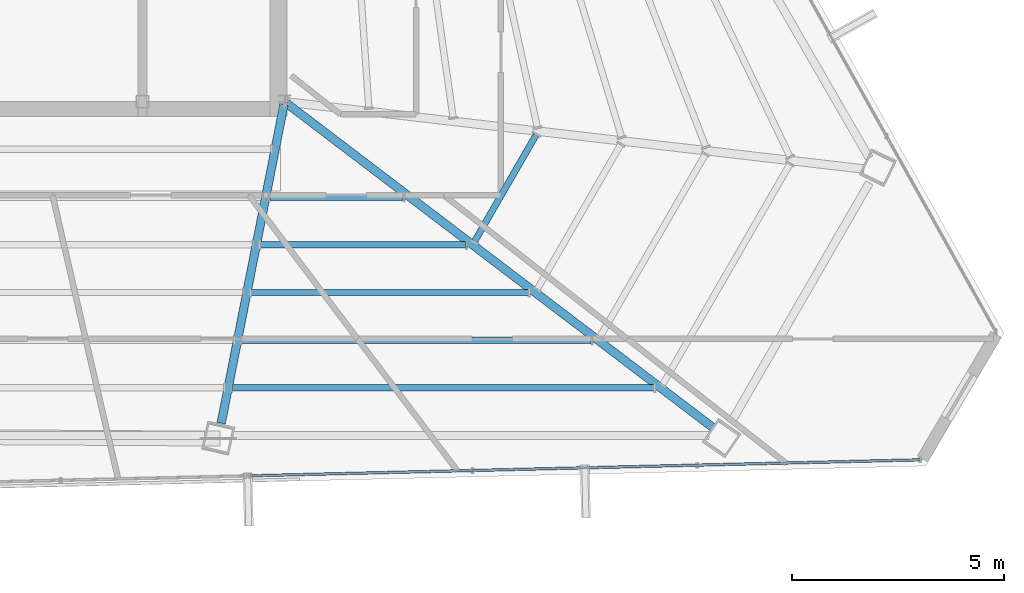
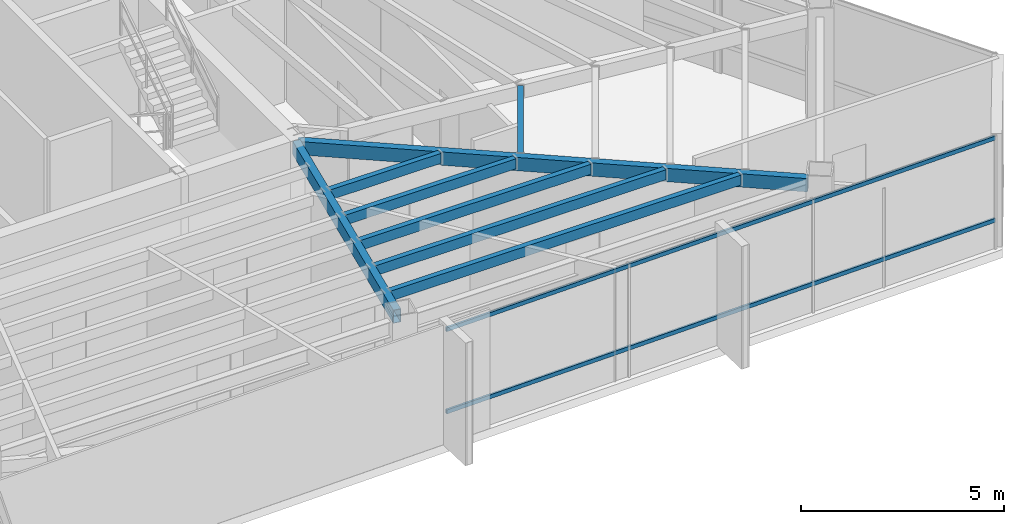
# One storey, part 20 of 45: 8 beams, 2 members, 1 element without a shape of its own.
"""IFC4 building model written with IfcOpenShell, lengths in metres."""

from ifc_helpers import new_model, si_unit, direction, frame, origin, origin_2d, place, context, subcontext, project, spatial, hollow_rectangle, extrude, source, transform, mapped, material, material_profile, profile_set, type_object, type_shapes, element, aggregate, save


model = new_model("IFC4")

# Units and contexts
model_context = context("Model", 3, precision=1e-05, world=origin(), true_north=direction((0.0, 1.0)))
body_context = subcontext(model_context, "Body", "Model", "MODEL_VIEW")
ifc_project = project(units=[si_unit("LENGTHUNIT", "METRE"), si_unit("AREAUNIT", "SQUARE_METRE"), si_unit("VOLUMEUNIT", "CUBIC_METRE"), si_unit("PLANEANGLEUNIT", "RADIAN"), si_unit("MASSUNIT", "GRAM", prefix="KILO")], contexts=[model_context])

# Site, building, storey
site_placement = place(None, origin())
site = spatial("IfcSite", under=ifc_project, at=site_placement, CompositionType="ELEMENT")
building_placement = place(site_placement, origin())
building = spatial("IfcBuilding", under=site, at=building_placement, Name="Caelisora Broadcast Tower", CompositionType="ELEMENT")
storey_placement = place(building_placement, frame((0.0, 0.0, 262.699951171875)))
storey = spatial("IfcBuildingStorey", under=building, at=storey_placement, Name="L69", CompositionType="ELEMENT", Elevation=262.699951171875)

# Beams
ifc_material_1 = material(Name="Steel Grade 350 (AS/NZS 1163 C350L0)", Category="steel")
ifc_material_profile_1 = material_profile(ifc_material_1, hollow_rectangle(XDim=0.199951171875, YDim=0.39990234375, WallThickness=0.012451171875, at=origin_2d()), Name="Steel Grade 350 (AS/NZS 1163 C350L0)")
ifc_profile_set_1 = profile_set([ifc_material_profile_1], Name="Steel Grade 350 (AS/NZS 1163 C350L0)")
beam_type_1 = type_object("IfcBeamType", Name="PG07", PredefinedType="BEAM", material=ifc_profile_set_1)
shared_shape_1 = source(origin(), body_context, "Body", "SweptSolid", [
    extrude(hollow_rectangle(XDim=0.199951171875, YDim=0.39990234375, WallThickness=0.012451171875, at=origin_2d()), origin(), (0.0, 0.0, 1.0), 12.64306640625),
])
beam_1_placement = place(storey_placement, frame((45.5478515625, 17.36376953125, 3.199951171875), z_axis=(0.795910210689, -0.605414681455, 0.0), x_axis=(0.605414681455, 0.795910210689, 0.0)))
element("IfcBeam", 1, at=beam_1_placement, inside=storey, type_object=beam_type_1, Name="L69 beam PG07", PredefinedType="BEAM", context=body_context, shape_type="MappedRepresentation", body=[
    mapped(shared_shape_1, transform((0.0, 0.0, 0.0), scale=1.0)),
])
shared_shape_2 = source(origin(), body_context, "Body", "SweptSolid", [
    extrude(hollow_rectangle(XDim=0.199951171875, YDim=0.39990234375, WallThickness=0.012451171875, at=origin_2d()), origin(), (0.0, 0.0, 1.0), 7.664306640625),
])
type_shapes(beam_type_1, [shared_shape_1, shared_shape_2])
beam_2_placement = place(storey_placement, frame((45.48828125, 17.341064453125, 3.199951171875), z_axis=(-0.19329132394, -0.981141408814, 0.0), x_axis=(0.981141408814, -0.19329132394, 0.0)))
element("IfcBeam", 2, at=beam_2_placement, inside=storey, type_object=beam_type_1, Name="L69 beam PG07", PredefinedType="BEAM", context=body_context, shape_type="MappedRepresentation", body=[
    mapped(shared_shape_2, transform((0.0, 0.0, 0.0), scale=1.0)),
])
ifc_material_profile_2 = material_profile(ifc_material_1, hollow_rectangle(XDim=0.14990234375, YDim=0.300048828125, WallThickness=0.010009765625, at=origin_2d()), Name="Steel Grade 350 (AS/NZS 1163 C350L0)")
ifc_profile_set_2 = profile_set([ifc_material_profile_2], Name="Steel Grade 350 (AS/NZS 1163 C350L0)")
beam_type_2 = type_object("IfcBeamType", Name="SB05", PredefinedType="JOIST", material=ifc_profile_set_2)
shared_shape_3 = source(origin(), body_context, "Body", "SweptSolid", [
    extrude(hollow_rectangle(XDim=0.14990234375, YDim=0.300048828125, WallThickness=0.010009765625, at=origin_2d()), origin(), (0.0, 0.0, 1.0), 2.88916015625),
])
beam_3_placement = place(storey_placement, frame((49.983642578125, 14.111328125, 3.25), z_axis=(0.49998333816, 0.866035023289, 0.0), x_axis=(-0.866035023289, 0.49998333816, 0.0)))
element("IfcBeam", 3, at=beam_3_placement, inside=storey, type_object=beam_type_2, Name="L69 beam SB05", PredefinedType="JOIST", context=body_context, shape_type="MappedRepresentation", body=[
    mapped(shared_shape_3, transform((0.0, 0.0, 0.0), scale=1.0)),
])
shared_shape_4 = source(origin(), body_context, "Body", "SweptSolid", [
    extrude(hollow_rectangle(XDim=0.14990234375, YDim=0.300048828125, WallThickness=0.010009765625, at=origin_2d()), origin(), (0.0, 0.0, 1.0), 3.138427734375),
])
beam_4_placement = place(storey_placement, frame((45.15576171875, 15.151123046875, 3.25), z_axis=(1.0, 0.0, 0.0), x_axis=(0.0, 1.0, 0.0)))
element("IfcBeam", 4, at=beam_4_placement, inside=storey, type_object=beam_type_2, Name="L69 beam SB05", PredefinedType="JOIST", context=body_context, shape_type="MappedRepresentation", body=[
    mapped(shared_shape_4, transform((0.0, 0.0, 0.0), scale=1.0)),
])
shared_shape_5 = source(origin(), body_context, "Body", "SweptSolid", [
    extrude(hollow_rectangle(XDim=0.14990234375, YDim=0.300048828125, WallThickness=0.010009765625, at=origin_2d()), origin(), (0.0, 0.0, 1.0), 4.83837890625),
])
beam_5_placement = place(storey_placement, frame((44.934326171875, 14.026611328125, 3.25), z_axis=(1.0, 0.0, 0.0), x_axis=(0.0, 1.0, 0.0)))
element("IfcBeam", 5, at=beam_5_placement, inside=storey, type_object=beam_type_2, Name="L69 beam SB05", PredefinedType="JOIST", context=body_context, shape_type="MappedRepresentation", body=[
    mapped(shared_shape_5, transform((0.0, 0.0, 0.0), scale=1.0)),
])
shared_shape_6 = source(origin(), body_context, "Body", "SweptSolid", [
    extrude(hollow_rectangle(XDim=0.14990234375, YDim=0.300048828125, WallThickness=0.010009765625, at=origin_2d()), origin(), (0.0, 0.0, 1.0), 6.5380859375),
])
beam_6_placement = place(storey_placement, frame((44.712890625, 12.90234375, 3.25), z_axis=(1.0, 0.0, 0.0), x_axis=(0.0, 1.0, 0.0)))
element("IfcBeam", 6, at=beam_6_placement, inside=storey, type_object=beam_type_2, Name="L69 beam SB05", PredefinedType="JOIST", context=body_context, shape_type="MappedRepresentation", body=[
    mapped(shared_shape_6, transform((0.0, 0.0, 0.0), scale=1.0)),
])
shared_shape_7 = source(origin(), body_context, "Body", "SweptSolid", [
    extrude(hollow_rectangle(XDim=0.14990234375, YDim=0.300048828125, WallThickness=0.010009765625, at=origin_2d()), origin(), (0.0, 0.0, 1.0), 8.238037109375),
])
beam_7_placement = place(storey_placement, frame((44.4912109375, 11.77783203125, 3.25), z_axis=(1.0, 0.0, 0.0), x_axis=(0.0, 1.0, 0.0)))
element("IfcBeam", 7, at=beam_7_placement, inside=storey, type_object=beam_type_2, Name="L69 beam SB05", PredefinedType="JOIST", context=body_context, shape_type="MappedRepresentation", body=[
    mapped(shared_shape_7, transform((0.0, 0.0, 0.0), scale=1.0)),
])
shared_shape_8 = source(origin(), body_context, "Body", "SweptSolid", [
    extrude(hollow_rectangle(XDim=0.14990234375, YDim=0.300048828125, WallThickness=0.010009765625, at=origin_2d()), origin(), (0.0, 0.0, 1.0), 9.937744140625),
])
type_shapes(beam_type_2, [shared_shape_3, shared_shape_4, shared_shape_5, shared_shape_6, shared_shape_7, shared_shape_8])
beam_8_placement = place(storey_placement, frame((44.269775390625, 10.6533203125, 3.25), z_axis=(1.0, 0.0, 0.0), x_axis=(0.0, 1.0, 0.0)))
element("IfcBeam", 8, at=beam_8_placement, inside=storey, type_object=beam_type_2, Name="L69 beam SB05", PredefinedType="JOIST", context=body_context, shape_type="MappedRepresentation", body=[
    mapped(shared_shape_8, transform((0.0, 0.0, 0.0), scale=1.0)),
])

# Curtain wall, members
ifc_material_2 = material(Name="Unitised Aluminium and Low-E Glass Curtain Wall", Category="glass")
curtain_wall_type = type_object("IfcCurtainWallType", Name="CW-Z5", PredefinedType="NOTDEFINED", material=ifc_material_2)
curtain_wall_placement = place(storey_placement, origin())
curtain_wall = element("IfcCurtainWall", 9, at=curtain_wall_placement, inside=storey, type_object=curtain_wall_type, Name="L69 curtain wall CW-Z5", PredefinedType="NOTDEFINED")
ifc_material_3 = material(Name="Aluminium 6063-T6 Anodised Terracotta Bronze", Category="aluminium")
ifc_material_profile_3 = material_profile(ifc_material_3, hollow_rectangle(XDim=0.06005859375, YDim=0.1201171875, WallThickness=0.0029296875, at=origin_2d()), Name="Aluminium 6063-T6 Anodised Terracotta Bronze")
ifc_profile_set_3 = profile_set([ifc_material_profile_3], Name="Aluminium 6063-T6 Anodised Terracotta Bronze")
member_type = type_object("IfcMemberType", Name="CWT-03", PredefinedType="USERDEFINED", material=ifc_profile_set_3)
shared_shape_9 = source(origin(), body_context, "Body", "SweptSolid", [
    extrude(hollow_rectangle(XDim=0.06005859375, YDim=0.1201171875, WallThickness=0.0029296875, at=origin_2d()), origin(), (0.0, 0.0, 1.0), 15.79931640625),
])
type_shapes(member_type, [shared_shape_9])
member_1_placement = place(storey_placement, frame((60.47900390625, 8.956787109375, 0.85009765625), z_axis=(-0.999716813806, -0.023796894603, 0.0), x_axis=(0.023796894603, -0.999716813806, 0.0)))
member_1 = element("IfcMember", 10, at=member_1_placement, type_object=member_type, Name="L69-CW-B05 transom #1", ObjectType="TRANSOM", PredefinedType="USERDEFINED", context=body_context, shape_type="MappedRepresentation", body=[
    mapped(shared_shape_9, transform((0.0, 0.0, 0.0), scale=1.0)),
])
member_2_placement = place(storey_placement, frame((60.47900390625, 8.956787109375, 3.320068359375), z_axis=(-0.999716813806, -0.023796894603, 0.0), x_axis=(0.023796894603, -0.999716813806, 0.0)))
member_2 = element("IfcMember", 11, at=member_2_placement, type_object=member_type, Name="L69-CW-B05 transom #2", ObjectType="TRANSOM", PredefinedType="USERDEFINED", context=body_context, shape_type="MappedRepresentation", body=[
    mapped(shared_shape_9, transform((0.0, 0.0, 0.0), scale=1.0)),
])
aggregate(curtain_wall, [member_1, member_2])

save(model, "model.ifc")
